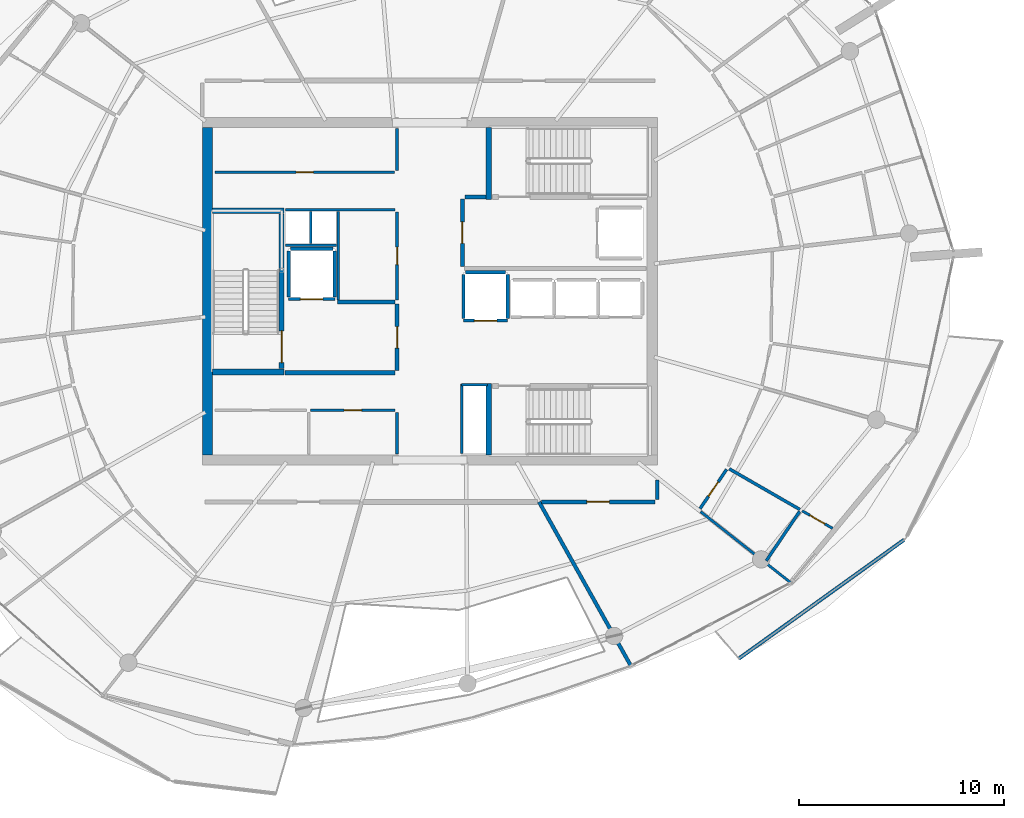
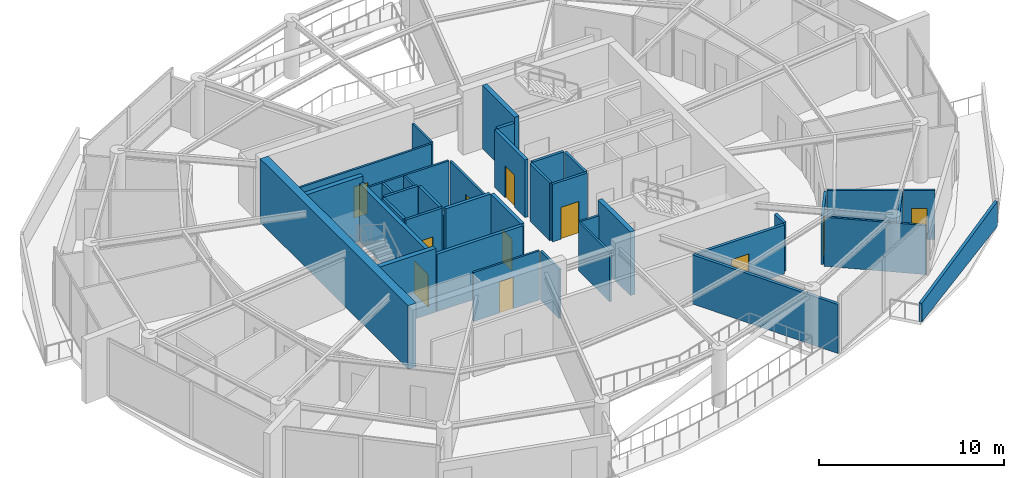
# One storey, part 13 of 21: 39 walls, 11 doors, 11 openings.
"""IFC4 building model written with IfcOpenShell, lengths in metres."""

from ifc_helpers import new_model, si_unit, direction, frame, frame_2d, origin, place, context, subcontext, project, spatial, polyline, rectangle, outline, extrude, material, layer, layer_set, type_object, element, fill, save


model = new_model("IFC4")

# Units and contexts
model_context = context("Model", 3, precision=1e-05, world=origin(), true_north=direction((0.0, 1.0)))
body_context = subcontext(model_context, "Body", "Model", "MODEL_VIEW")
ifc_project = project(units=[si_unit("LENGTHUNIT", "METRE"), si_unit("AREAUNIT", "SQUARE_METRE"), si_unit("VOLUMEUNIT", "CUBIC_METRE"), si_unit("PLANEANGLEUNIT", "RADIAN"), si_unit("MASSUNIT", "GRAM", prefix="KILO")], contexts=[model_context])

# Site, building, storey
site_placement = place(None, origin())
site = spatial("IfcSite", under=ifc_project, at=site_placement, CompositionType="ELEMENT")
building_placement = place(site_placement, origin())
building = spatial("IfcBuilding", under=site, at=building_placement, Name="Kazma Halo Residences", CompositionType="ELEMENT")
storey_placement = place(building_placement, frame((0.0, 0.0, 338.89990234375)))
storey = spatial("IfcBuildingStorey", under=building, at=storey_placement, Name="L85", CompositionType="ELEMENT", Elevation=338.89990234375)

# Walls
ifc_material_1 = material(Name="White Concrete C50/60 Balustrade", Category="concrete")
ifc_layer_1 = layer(ifc_material_1, 0.179931640625)
ifc_layer_set_1 = layer_set([ifc_layer_1], Name="White Concrete C50/60 Balustrade")
wall_type_1 = type_object("IfcWallType", Name="WL-BAL-WAVE-180", PredefinedType="PARAPET", material=ifc_layer_set_1)
wall_1_placement = place(storey_placement, frame((63.531005859375, 24.038818359375, 0.0), z_axis=(0.0, 0.0, 1.0), x_axis=(0.812019730163, 0.583629983659, 0.0)))
element("IfcWall", 1, at=wall_1_placement, inside=storey, type_object=wall_type_1, Name="L85 white wave balustrade wall SE.1", PredefinedType="PARAPET", context=body_context, shape_type="SweptSolid", body=[
    extrude(outline(polyline([(0.0, 0.0), (9.9541015625, 0.0), (9.954345703125, 1.632080078125), (4.97705078125, 1.418212890625), (0.0, 1.233154296875), (0.0, 0.0)])), frame((0.0, 0.08984375, 0.0), z_axis=(0.0, -1.0, 0.0), x_axis=(1.0, 0.0, 0.0)), (0.0, 0.0, 1.0), 0.179931640625),
])
ifc_material_2 = material(Name="Concrete C60/75", Category="concrete")
ifc_layer_2 = layer(ifc_material_2, 0.5)
ifc_layer_set_2 = layer_set([ifc_layer_2], Name="Concrete C60/75")
wall_type_2 = type_object("IfcWallType", Name="WL-CORE-500", PredefinedType="SHEAR", material=ifc_layer_set_2)
wall_2_placement = place(storey_placement, frame((37.550048828125, 34.0, 0.0), z_axis=(0.0, 0.0, 1.0), x_axis=(0.0, 1.0, 0.0)))
element("IfcWall", 2, at=wall_2_placement, inside=storey, type_object=wall_type_2, Name="L85 central core shear wall W", PredefinedType="SHEAR", context=body_context, shape_type="SweptSolid", body=[
    extrude(rectangle(XDim=16.0, YDim=0.5, at=frame_2d((8.0, 0.0))), origin(), (0.0, 0.0, 1.0), 4.2001953125),
])
ifc_layer_3 = layer(ifc_material_2, 0.280029296875)
ifc_layer_set_3 = layer_set([ifc_layer_3], Name="Concrete C60/75")
wall_type_3 = type_object("IfcWallType", Name="WL-CORE-ST-280", PredefinedType="SHEAR", material=ifc_layer_set_3)
for number, where, z_axis, x_axis, name in (
    (3, (37.800048828125, 38.06005859375, 0.0), (0.0, 0.0, 1.0), (1.0, 0.0, 0.0), "L85 stairwell bearing wall ST01-S"),
    (4, (37.800048828125, 45.93994140625, 0.0), (0.0, 0.0, 1.0), (1.0, 0.0, 0.0), "L85 stairwell bearing wall ST01-N"),
    (5, (51.31005859375, 46.5, 0.0), (0.0, 0.0, 1.0), (0.0, 1.0, 0.0), "L85 stairwell bearing wall ST02-W"),
    (6, (51.31005859375, 34.0, 0.0), (0.0, 0.0, 1.0), (0.0, 1.0, 0.0), "L85 stairwell bearing wall ST03-W"),
):
    element("IfcWall", number, at=place(storey_placement, frame(where, z_axis=z_axis, x_axis=x_axis)), inside=storey, type_object=wall_type_3, Name=name, PredefinedType="SHEAR", context=body_context, shape_type="SweptSolid", body=[
        extrude(rectangle(XDim=3.5, YDim=0.280029296875, at=frame_2d((1.75, 0.0))), origin(), (0.0, 0.0, 1.0), 4.2001953125),
    ])
ifc_material_3 = material(Name="Acoustic Twin-Stud Gypsum")
ifc_layer_4 = layer(ifc_material_3, 0.179931640625)
ifc_layer_set_4 = layer_set([ifc_layer_4], Name="Acoustic Twin-Stud Gypsum")
wall_type_4 = type_object("IfcWallType", Name="WL-DEM-180", PredefinedType="PARTITIONING", material=ifc_layer_set_4)
wall_3_placement = place(storey_placement, frame((53.768310546875, 31.699951171875, 0.0), z_axis=(0.0, 0.0, 1.0), x_axis=(0.488623665245, -0.872494649704, 0.0)))
element("IfcWall", 7, at=wall_3_placement, inside=storey, type_object=wall_type_4, Name="L85 apartment demising radial wall 12", PredefinedType="PARTITIONING", context=body_context, shape_type="SweptSolid", body=[
    extrude(rectangle(XDim=9.156982421875, YDim=0.179931640625, at=frame_2d((4.57861328125, 0.0))), origin(), (0.0, 0.0, 1.0), 3.239990234375),
])

# Wall, opening, door
wall_4_placement = place(storey_placement, frame((53.88818359375, 31.699951171875, 0.0), z_axis=(0.0, 0.0, 1.0), x_axis=(1.0, 0.0, 0.0)))
wall_4 = element("IfcWall", 8, at=wall_4_placement, inside=storey, type_object=wall_type_4, Name="L85 Penthouse 3 entrance corridor wall", PredefinedType="PARTITIONING", context=body_context, shape_type="SweptSolid", body=[
    extrude(rectangle(XDim=5.541748046875, YDim=0.179931640625, at=frame_2d((2.77099609375, 0.0))), origin(), (0.0, 0.0, 1.0), 3.239990234375),
])
opening_1_placement = place(wall_4_placement, frame((2.220703125, 0.0, 0.0)))
opening_1 = element("IfcOpeningElement", 9, at=opening_1_placement, cuts=wall_4, Name="Opening DA-1100", PredefinedType="OPENING", context=body_context, shape_type="SweptSolid", body=[
    extrude(rectangle(XDim=1.10009765625, YDim=2.10009765625, at=frame_2d((0.550048828125, 1.050048828125))), frame((0.0, 0.099853515625, 0.0), z_axis=(0.0, -1.0, 0.0), x_axis=(1.0, 0.0, 0.0)), (0.0, 0.0, 1.0), 0.199951171875),
])
ifc_material_4 = material(Name="Acoustic Walnut Fire Leaf")
door_type_1 = type_object("IfcDoorType", Name="DR-FD60-1100", OperationType="NOTDEFINED", PredefinedType="DOOR", material=ifc_material_4)
door_1_placement = place(opening_1_placement, origin())
door_1 = element("IfcDoor", 10, at=door_1_placement, inside=storey, type_object=door_type_1, Name="L85 Penthouse 3 entrance fire door", OperationType="SINGLE_SWING_LEFT", OverallHeight=2.10009765625, OverallWidth=1.10009765625, PredefinedType="DOOR", context=body_context, shape_type="SweptSolid", body=[
    extrude(rectangle(XDim=1.10009765625, YDim=2.10009765625, at=frame_2d((0.550048828125, 1.050048828125))), frame((0.0, 0.02490234375, 0.0), z_axis=(0.0, -1.0, 0.0), x_axis=(1.0, 0.0, 0.0)), (0.0, 0.0, 1.0), 0.050048828125),
])
fill(opening_1, door_1)

# Wall
wall_5_placement = place(storey_placement, frame((59.550048828125, 31.820068359375, 0.0), z_axis=(0.0, 0.0, 1.0), x_axis=(0.0, 1.0, 0.0)))
element("IfcWall", 11, at=wall_5_placement, inside=storey, type_object=wall_type_4, Name="L85 Penthouse 3 entrance corridor wall", PredefinedType="PARTITIONING", context=body_context, shape_type="SweptSolid", body=[
    extrude(rectangle(XDim=0.95458984375, YDim=0.179931640625, at=frame_2d((0.477294921875, 0.0))), origin(), (0.0, 0.0, 1.0), 3.239990234375),
])

# Wall, opening, door
ifc_material_5 = material(Name="Fire-Rated Blockwork Masonry", Category="masonry")
ifc_layer_5 = layer(ifc_material_5, 0.199951171875)
ifc_layer_set_5 = layer_set([ifc_layer_5], Name="Fire-Rated Blockwork Masonry")
wall_type_5 = type_object("IfcWallType", Name="WL-FLB-200", PredefinedType="PARTITIONING", material=ifc_layer_set_5)
wall_6_placement = place(storey_placement, frame((43.780029296875, 41.6201171875, 0.0), z_axis=(0.0, 0.0, 1.0), x_axis=(-1.0, 0.0, 0.0)))
wall_6 = element("IfcWall", 12, at=wall_6_placement, inside=storey, type_object=wall_type_5, Name="L85 lift shaft FL-01 front wall", PredefinedType="PARTITIONING", context=body_context, shape_type="SweptSolid", body=[
    extrude(rectangle(XDim=2.260009765625, YDim=0.159912109375, at=frame_2d((1.1298828125, 0.0))), origin(), (0.0, 0.0, 1.0), 3.800048828125),
])
opening_2_placement = place(wall_6_placement, frame((0.580078125, 0.0, 0.0)))
opening_2 = element("IfcOpeningElement", 13, at=opening_2_placement, cuts=wall_6, Name="Opening LD-FL-01", PredefinedType="OPENING", context=body_context, shape_type="SweptSolid", body=[
    extrude(rectangle(XDim=1.10009765625, YDim=2.10009765625, at=frame_2d((0.550048828125, 1.050048828125))), frame((0.0, 0.08984375, 0.0), z_axis=(0.0, -1.0, 0.0), x_axis=(1.0, 0.0, 0.0)), (0.0, 0.0, 1.0), 0.179931640625),
])
ifc_material_6 = material(Name="Stainless Steel Fire-Rated", Category="steel")
door_type_2 = type_object("IfcDoorType", Name="DR-LIFT-SLD-1100", OperationType="DOUBLE_DOOR_SLIDING", PredefinedType="DOOR", material=ifc_material_6)
door_2_placement = place(opening_2_placement, origin())
door_2 = element("IfcDoor", 14, at=door_2_placement, inside=storey, type_object=door_type_2, Name="L85 lift FL-01 sliding landing door", OperationType="DOUBLE_DOOR_SLIDING", OverallHeight=2.10009765625, OverallWidth=1.10009765625, PredefinedType="DOOR", context=body_context, shape_type="SweptSolid", body=[
    extrude(rectangle(XDim=1.10009765625, YDim=2.10009765625, at=frame_2d((0.550048828125, 1.050048828125))), frame((0.0, 0.02490234375, 0.0), z_axis=(0.0, -1.0, 0.0), x_axis=(1.0, 0.0, 0.0)), (0.0, 0.0, 1.0), 0.050048828125),
])
fill(opening_2, door_2)

# Walls
for number, where, z_axis, x_axis, name in (
    (15, (43.780029296875, 41.719970703125, 0.0), (0.0, 0.0, 1.0), (0.0, 1.0, 0.0), "L85 lift shaft FL-01 side wall E"),
    (16, (41.52001953125, 41.719970703125, 0.0), (0.0, 0.0, 1.0), (0.0, 1.0, 0.0), "L85 lift shaft FL-01 side wall W"),
):
    element("IfcWall", number, at=place(storey_placement, frame(where, z_axis=z_axis, x_axis=x_axis)), inside=storey, type_object=wall_type_5, Name=name, PredefinedType="PARTITIONING", context=body_context, shape_type="SweptSolid", body=[
        extrude(rectangle(XDim=2.260009765625, YDim=0.159912109375, at=frame_2d((1.1298828125, 0.0))), origin(), (0.0, 0.0, 1.0), 3.800048828125),
    ])
wall_7_placement = place(storey_placement, frame((41.6201171875, 44.080078125, 0.0), z_axis=(0.0, 0.0, 1.0), x_axis=(1.0, 0.0, 0.0)))
element("IfcWall", 17, at=wall_7_placement, inside=storey, type_object=wall_type_5, Name="L85 lift shaft FL-01 side wall N", PredefinedType="PARTITIONING", context=body_context, shape_type="SweptSolid", body=[
    extrude(rectangle(XDim=2.059814453125, YDim=0.159912109375, at=frame_2d((1.02978515625, 0.0))), origin(), (0.0, 0.0, 1.0), 3.800048828125),
])

# Wall, opening, door
wall_8_placement = place(storey_placement, frame((52.22998046875, 40.570068359375, 0.0), z_axis=(0.0, 0.0, 1.0), x_axis=(-1.0, 0.0, 0.0)))
wall_8 = element("IfcWall", 18, at=wall_8_placement, inside=storey, type_object=wall_type_5, Name="L85 lift shaft SV-01 front wall", PredefinedType="PARTITIONING", context=body_context, shape_type="SweptSolid", body=[
    extrude(rectangle(XDim=2.159912109375, YDim=0.159912109375, at=frame_2d((1.080078125, 0.0))), origin(), (0.0, 0.0, 1.0), 3.800048828125),
])
opening_3_placement = place(wall_8_placement, frame((0.530029296875, 0.0, 0.0)))
opening_3 = element("IfcOpeningElement", 19, at=opening_3_placement, cuts=wall_8, Name="Opening LD-SV-01", PredefinedType="OPENING", context=body_context, shape_type="SweptSolid", body=[
    extrude(rectangle(XDim=1.10009765625, YDim=2.10009765625, at=frame_2d((0.550048828125, 1.050048828125))), frame((0.0, 0.08984375, 0.0), z_axis=(0.0, -1.0, 0.0), x_axis=(1.0, 0.0, 0.0)), (0.0, 0.0, 1.0), 0.179931640625),
])
door_3_placement = place(opening_3_placement, origin())
door_3 = element("IfcDoor", 20, at=door_3_placement, inside=storey, type_object=door_type_2, Name="L85 lift SV-01 sliding landing door", OperationType="DOUBLE_DOOR_SLIDING", OverallHeight=2.10009765625, OverallWidth=1.10009765625, PredefinedType="DOOR", context=body_context, shape_type="SweptSolid", body=[
    extrude(rectangle(XDim=1.10009765625, YDim=2.10009765625, at=frame_2d((0.550048828125, 1.050048828125))), frame((0.0, 0.02490234375, 0.0), z_axis=(0.0, -1.0, 0.0), x_axis=(1.0, 0.0, 0.0)), (0.0, 0.0, 1.0), 0.050048828125),
])
fill(opening_3, door_3)

# Walls
for number, where, z_axis, x_axis, name in (
    (21, (52.22998046875, 40.669921875, 0.0), (0.0, 0.0, 1.0), (0.0, 1.0, 0.0), "L85 lift shaft SV-01 side wall E"),
    (22, (50.070068359375, 40.669921875, 0.0), (0.0, 0.0, 1.0), (0.0, 1.0, 0.0), "L85 lift shaft SV-01 side wall W"),
):
    element("IfcWall", number, at=place(storey_placement, frame(where, z_axis=z_axis, x_axis=x_axis)), inside=storey, type_object=wall_type_5, Name=name, PredefinedType="PARTITIONING", context=body_context, shape_type="SweptSolid", body=[
        extrude(rectangle(XDim=2.16015625, YDim=0.159912109375, at=frame_2d((1.080078125, 0.0))), origin(), (0.0, 0.0, 1.0), 3.800048828125),
    ])
wall_9_placement = place(storey_placement, frame((50.169921875, 42.929931640625, 0.0), z_axis=(0.0, 0.0, 1.0), x_axis=(1.0, 0.0, 0.0)))
element("IfcWall", 23, at=wall_9_placement, inside=storey, type_object=wall_type_5, Name="L85 lift shaft SV-01 side wall N", PredefinedType="PARTITIONING", context=body_context, shape_type="SweptSolid", body=[
    extrude(rectangle(XDim=1.9599609375, YDim=0.159912109375, at=frame_2d((0.97998046875, 0.0))), origin(), (0.0, 0.0, 1.0), 3.800048828125),
])
wall_10_placement = place(storey_placement, frame((41.35009765625, 38.02001953125, 0.0), z_axis=(0.0, 0.0, 1.0), x_axis=(1.0, 0.0, 0.0)))
element("IfcWall", 24, at=wall_10_placement, inside=storey, type_object=wall_type_5, Name="L85 west firefighting lobby south smoke wall", PredefinedType="PARTITIONING", context=body_context, shape_type="SweptSolid", body=[
    extrude(rectangle(XDim=5.369873046875, YDim=0.199951171875, at=frame_2d((2.68505859375, 0.0))), origin(), (0.0, 0.0, 1.0), 3.800048828125),
])
wall_11_placement = place(storey_placement, frame((43.919921875, 41.47998046875, 0.0), z_axis=(0.0, 0.0, 1.0), x_axis=(1.0, 0.0, 0.0)))
element("IfcWall", 25, at=wall_11_placement, inside=storey, type_object=wall_type_5, Name="L85 west firefighting lobby north smoke wall", PredefinedType="PARTITIONING", context=body_context, shape_type="SweptSolid", body=[
    extrude(rectangle(XDim=2.800048828125, YDim=0.199951171875, at=frame_2d((1.39990234375, 0.0))), origin(), (0.0, 0.0, 1.0), 3.800048828125),
])

# Wall, opening, door
wall_12_placement = place(storey_placement, frame((46.820068359375, 38.1201171875, 0.0), z_axis=(0.0, 0.0, 1.0), x_axis=(0.0, 1.0, 0.0)))
wall_12 = element("IfcWall", 26, at=wall_12_placement, inside=storey, type_object=wall_type_5, Name="L85 west firefighting lobby smoke wall", PredefinedType="PARTITIONING", context=body_context, shape_type="SweptSolid", body=[
    extrude(rectangle(XDim=3.259765625, YDim=0.199951171875, at=frame_2d((1.6298828125, 0.0))), origin(), (0.0, 0.0, 1.0), 3.800048828125),
])
opening_4_placement = place(wall_12_placement, frame((1.10498046875, 0.0, 0.0)))
opening_4 = element("IfcOpeningElement", 27, at=opening_4_placement, cuts=wall_12, Name="Opening D-FLW", PredefinedType="OPENING", context=body_context, shape_type="SweptSolid", body=[
    extrude(rectangle(XDim=1.050048828125, YDim=2.10009765625, at=frame_2d((0.52490234375, 1.050048828125))), frame((0.0, 0.10986328125, 0.0), z_axis=(0.0, -1.0, 0.0), x_axis=(1.0, 0.0, 0.0)), (0.0, 0.0, 1.0), 0.219970703125),
])
ifc_material_7 = material(Name="Fire-Rated Steel Leaf", Category="steel")
door_type_3 = type_object("IfcDoorType", Name="DR-FD90-1050", OperationType="NOTDEFINED", PredefinedType="DOOR", material=ifc_material_7)
door_4_placement = place(opening_4_placement, origin())
door_4 = element("IfcDoor", 28, at=door_4_placement, inside=storey, type_object=door_type_3, Name="L85 west firefighting lobby smoke door", OperationType="SINGLE_SWING_RIGHT", OverallHeight=2.10009765625, OverallWidth=1.050048828125, PredefinedType="DOOR", context=body_context, shape_type="SweptSolid", body=[
    extrude(rectangle(XDim=1.050048828125, YDim=2.10009765625, at=frame_2d((0.52490234375, 1.050048828125))), frame((0.0, 0.02490234375, 0.0), z_axis=(0.0, -1.0, 0.0), x_axis=(1.0, 0.0, 0.0)), (0.0, 0.0, 1.0), 0.050048828125),
])
fill(opening_4, door_4)

# Wall
wall_13_placement = place(storey_placement, frame((50.139892578125, 46.6201171875, 0.0), z_axis=(0.0, 0.0, 1.0), x_axis=(1.0, 0.0, 0.0)))
element("IfcWall", 29, at=wall_13_placement, inside=storey, type_object=wall_type_5, Name="L85 east firefighting lobby north closure wall", PredefinedType="PARTITIONING", context=body_context, shape_type="SweptSolid", body=[
    extrude(rectangle(XDim=1.02001953125, YDim=0.199951171875, at=frame_2d((0.510009765625, 0.0))), origin(), (0.0, 0.0, 1.0), 3.800048828125),
])

# Wall, opening, door
wall_14_placement = place(storey_placement, frame((50.02001953125, 43.219970703125, 0.0), z_axis=(0.0, 0.0, 1.0), x_axis=(0.0, 1.0, 0.0)))
wall_14 = element("IfcWall", 30, at=wall_14_placement, inside=storey, type_object=wall_type_5, Name="L85 east firefighting lobby smoke wall", PredefinedType="PARTITIONING", context=body_context, shape_type="SweptSolid", body=[
    extrude(rectangle(XDim=3.300048828125, YDim=0.199951171875, at=frame_2d((1.64990234375, 0.0))), origin(), (0.0, 0.0, 1.0), 3.800048828125),
])
opening_5_placement = place(wall_14_placement, frame((1.125, 0.0, 0.0)))
opening_5 = element("IfcOpeningElement", 31, at=opening_5_placement, cuts=wall_14, Name="Opening D-FLE", PredefinedType="OPENING", context=body_context, shape_type="SweptSolid", body=[
    extrude(rectangle(XDim=1.050048828125, YDim=2.10009765625, at=frame_2d((0.52490234375, 1.050048828125))), frame((0.0, 0.10986328125, 0.0), z_axis=(0.0, -1.0, 0.0), x_axis=(1.0, 0.0, 0.0)), (0.0, 0.0, 1.0), 0.219970703125),
])
door_5_placement = place(opening_5_placement, origin())
door_5 = element("IfcDoor", 32, at=door_5_placement, inside=storey, type_object=door_type_3, Name="L85 east firefighting lobby smoke door", OperationType="SINGLE_SWING_LEFT", OverallHeight=2.10009765625, OverallWidth=1.050048828125, PredefinedType="DOOR", context=body_context, shape_type="SweptSolid", body=[
    extrude(rectangle(XDim=1.050048828125, YDim=2.10009765625, at=frame_2d((0.52490234375, 1.050048828125))), frame((0.0, 0.02490234375, 0.0), z_axis=(0.0, -1.0, 0.0), x_axis=(1.0, 0.0, 0.0)), (0.0, 0.0, 1.0), 0.050048828125),
])
fill(opening_5, door_5)

# Wall
ifc_material_8 = material(Name="Gypsum Plasterboard Partition")
ifc_layer_6 = layer(ifc_material_8, 0.125)
ifc_layer_set_6 = layer_set([ifc_layer_6], Name="Gypsum Plasterboard Partition")
wall_type_6 = type_object("IfcWallType", Name="WL-PART-125", PredefinedType="PARTITIONING", material=ifc_layer_set_6)
wall_15_placement = place(storey_placement, frame((46.820068359375, 34.050048828125, 0.0), z_axis=(0.0, 0.0, 1.0), x_axis=(0.0, 1.0, 0.0)))
element("IfcWall", 33, at=wall_15_placement, inside=storey, type_object=wall_type_6, Name="L85 reclaimed south east wall", PredefinedType="PARTITIONING", context=body_context, shape_type="SweptSolid", body=[
    extrude(rectangle(XDim=2.030029296875, YDim=0.125, at=frame_2d((1.01513671875, 0.0))), origin(), (0.0, 0.0, 1.0), 3.239990234375),
])

# Wall, opening, door
wall_16_placement = place(storey_placement, frame((42.60009765625, 36.179931640625, 0.0), z_axis=(0.0, 0.0, 1.0), x_axis=(1.0, 0.0, 0.0)))
wall_16 = element("IfcWall", 34, at=wall_16_placement, inside=storey, type_object=wall_type_6, Name="L85 reclaimed south E front wall", PredefinedType="PARTITIONING", context=body_context, shape_type="SweptSolid", body=[
    extrude(rectangle(XDim=4.119873046875, YDim=0.125, at=frame_2d((2.06005859375, 0.0))), origin(), (0.0, 0.0, 1.0), 3.239990234375),
])
opening_6_placement = place(wall_16_placement, frame((1.635009765625, 0.0, 0.0)))
opening_6 = element("IfcOpeningElement", 35, at=opening_6_placement, cuts=wall_16, Name="Opening DS-850", PredefinedType="OPENING", context=body_context, shape_type="SweptSolid", body=[
    extrude(rectangle(XDim=0.85009765625, YDim=2.06005859375, at=frame_2d((0.425048828125, 1.030029296875))), frame((0.0, 0.072509765625, 0.0), z_axis=(0.0, -1.0, 0.0), x_axis=(1.0, 0.0, 0.0)), (0.0, 0.0, 1.0), 0.14501953125),
])
ifc_material_9 = material(Name="Painted Steel Access Leaf", Category="steel")
door_type_4 = type_object("IfcDoorType", Name="DR-SVC-850", OperationType="NOTDEFINED", PredefinedType="DOOR", material=ifc_material_9)
door_6_placement = place(opening_6_placement, origin())
door_6 = element("IfcDoor", 36, at=door_6_placement, inside=storey, type_object=door_type_4, Name="L85 reclaimed south E door", OperationType="SINGLE_SWING_LEFT", OverallHeight=2.06005859375, OverallWidth=0.85009765625, PredefinedType="DOOR", context=body_context, shape_type="SweptSolid", body=[
    extrude(rectangle(XDim=0.85009765625, YDim=2.06005859375, at=frame_2d((0.425048828125, 1.030029296875))), frame((0.0, 0.02490234375, 0.0), z_axis=(0.0, -1.0, 0.0), x_axis=(1.0, 0.0, 0.0)), (0.0, 0.0, 1.0), 0.050048828125),
])
fill(opening_6, door_6)

# Wall
wall_17_placement = place(storey_placement, frame((46.820068359375, 47.919921875, 0.0), z_axis=(0.0, 0.0, 1.0), x_axis=(0.0, 1.0, 0.0)))
element("IfcWall", 37, at=wall_17_placement, inside=storey, type_object=wall_type_6, Name="L85 reclaimed north east wall", PredefinedType="PARTITIONING", context=body_context, shape_type="SweptSolid", body=[
    extrude(rectangle(XDim=2.030029296875, YDim=0.125, at=frame_2d((1.01513671875, 0.0))), origin(), (0.0, 0.0, 1.0), 3.239990234375),
])

# Wall, opening, door
wall_18_placement = place(storey_placement, frame((37.919921875, 47.820068359375, 0.0), z_axis=(0.0, 0.0, 1.0), x_axis=(1.0, 0.0, 0.0)))
wall_18 = element("IfcWall", 38, at=wall_18_placement, inside=storey, type_object=wall_type_6, Name="L85 reclaimed north front wall", PredefinedType="PARTITIONING", context=body_context, shape_type="SweptSolid", body=[
    extrude(rectangle(XDim=8.780029296875, YDim=0.125, at=frame_2d((4.39013671875, 0.0))), origin(), (0.0, 0.0, 1.0), 3.239990234375),
])
opening_7_placement = place(wall_18_placement, frame((3.965087890625, 0.0, 0.0)))
opening_7 = element("IfcOpeningElement", 39, at=opening_7_placement, cuts=wall_18, Name="Opening DS-850", PredefinedType="OPENING", context=body_context, shape_type="SweptSolid", body=[
    extrude(rectangle(XDim=0.85009765625, YDim=2.06005859375, at=frame_2d((0.425048828125, 1.030029296875))), frame((0.0, 0.072509765625, 0.0), z_axis=(0.0, -1.0, 0.0), x_axis=(1.0, 0.0, 0.0)), (0.0, 0.0, 1.0), 0.14501953125),
])
door_7_placement = place(opening_7_placement, origin())
door_7 = element("IfcDoor", 40, at=door_7_placement, inside=storey, type_object=door_type_4, Name="L85 reclaimed north service door", OperationType="SINGLE_SWING_RIGHT", OverallHeight=2.06005859375, OverallWidth=0.85009765625, PredefinedType="DOOR", context=body_context, shape_type="SweptSolid", body=[
    extrude(rectangle(XDim=0.85009765625, YDim=2.06005859375, at=frame_2d((0.425048828125, 1.030029296875))), frame((0.0, 0.02490234375, 0.0), z_axis=(0.0, -1.0, 0.0), x_axis=(1.0, 0.0, 0.0)), (0.0, 0.0, 1.0), 0.050048828125),
])
fill(opening_7, door_7)

# Walls
wall_19_placement = place(storey_placement, frame((41.360107421875, 45.97998046875, 0.0), z_axis=(0.0, 0.0, 1.0), x_axis=(1.0, 0.0, 0.0)))
element("IfcWall", 41, at=wall_19_placement, inside=storey, type_object=wall_type_6, Name="L85 core north riser wall", PredefinedType="PARTITIONING", context=body_context, shape_type="SweptSolid", body=[
    extrude(rectangle(XDim=5.35986328125, YDim=0.125, at=frame_2d((2.679931640625, 0.0))), origin(), (0.0, 0.0, 1.0), 3.239990234375),
])
wall_20_placement = place(storey_placement, frame((41.360107421875, 44.260009765625, 0.0), z_axis=(0.0, 0.0, 1.0), x_axis=(1.0, 0.0, 0.0)))
element("IfcWall", 42, at=wall_20_placement, inside=storey, type_object=wall_type_6, Name="L85 core riser south wall", PredefinedType="PARTITIONING", context=body_context, shape_type="SweptSolid", body=[
    extrude(rectangle(XDim=2.5, YDim=0.125, at=frame_2d((1.25, 0.0))), origin(), (0.0, 0.0, 1.0), 3.239990234375),
])
wall_21_placement = place(storey_placement, frame((42.60009765625, 44.35009765625, 0.0), z_axis=(0.0, 0.0, 1.0), x_axis=(0.0, 1.0, 0.0)))
element("IfcWall", 43, at=wall_21_placement, inside=storey, type_object=wall_type_6, Name="L85 core riser divider wall", PredefinedType="PARTITIONING", context=body_context, shape_type="SweptSolid", body=[
    extrude(rectangle(XDim=1.5498046875, YDim=0.125, at=frame_2d((0.77490234375, 0.0))), origin(), (0.0, 0.0, 1.0), 3.239990234375),
])
wall_22_placement = place(storey_placement, frame((49.97998046875, 34.06005859375, 0.0), z_axis=(0.0, 0.0, 1.0), x_axis=(0.0, 1.0, 0.0)))
element("IfcWall", 44, at=wall_22_placement, inside=storey, type_object=wall_type_6, Name="L85 standpipe riser wall", PredefinedType="PARTITIONING", context=body_context, shape_type="SweptSolid", body=[
    extrude(rectangle(XDim=3.39990234375, YDim=0.125, at=frame_2d((1.699951171875, 0.0))), origin(), (0.0, 0.0, 1.0), 3.239990234375),
])
wall_23_placement = place(storey_placement, frame((49.97998046875, 37.43994140625, 0.0), z_axis=(0.0, 0.0, 1.0), x_axis=(1.0, 0.0, 0.0)))
element("IfcWall", 45, at=wall_23_placement, inside=storey, type_object=wall_type_6, Name="L85 standpipe riser north wall", PredefinedType="PARTITIONING", context=body_context, shape_type="SweptSolid", body=[
    extrude(rectangle(XDim=1.260009765625, YDim=0.125, at=frame_2d((0.6298828125, 0.0))), origin(), (0.0, 0.0, 1.0), 3.239990234375),
])
wall_24_placement = place(storey_placement, frame((43.949951171875, 41.580078125, 0.0), z_axis=(0.0, 0.0, 1.0), x_axis=(0.0, 1.0, 0.0)))
element("IfcWall", 46, at=wall_24_placement, inside=storey, type_object=wall_type_6, Name="L85 core service west wall", PredefinedType="PARTITIONING", context=body_context, shape_type="SweptSolid", body=[
    extrude(rectangle(XDim=4.31982421875, YDim=0.125, at=frame_2d((2.159912109375, 0.0))), origin(), (0.0, 0.0, 1.0), 3.239990234375),
])

# Wall, opening, door
wall_25_placement = place(storey_placement, frame((46.820068359375, 41.580078125, 0.0), z_axis=(0.0, 0.0, 1.0), x_axis=(0.0, 1.0, 0.0)))
wall_25 = element("IfcWall", 47, at=wall_25_placement, inside=storey, type_object=wall_type_6, Name="L85 core service room east wall", PredefinedType="PARTITIONING", context=body_context, shape_type="SweptSolid", body=[
    extrude(rectangle(XDim=4.2998046875, YDim=0.125, at=frame_2d((2.14990234375, 0.0))), origin(), (0.0, 0.0, 1.0), 3.239990234375),
])
opening_8_placement = place(wall_25_placement, frame((1.72509765625, 0.0, 0.0)))
opening_8 = element("IfcOpeningElement", 48, at=opening_8_placement, cuts=wall_25, Name="Opening DS-850", PredefinedType="OPENING", context=body_context, shape_type="SweptSolid", body=[
    extrude(rectangle(XDim=0.85009765625, YDim=2.06005859375, at=frame_2d((0.425048828125, 1.030029296875))), frame((0.0, 0.072509765625, 0.0), z_axis=(0.0, -1.0, 0.0), x_axis=(1.0, 0.0, 0.0)), (0.0, 0.0, 1.0), 0.14501953125),
])
door_8_placement = place(opening_8_placement, origin())
door_8 = element("IfcDoor", 49, at=door_8_placement, inside=storey, type_object=door_type_4, Name="L85 core service room door", OperationType="SINGLE_SWING_RIGHT", OverallHeight=2.06005859375, OverallWidth=0.85009765625, PredefinedType="DOOR", context=body_context, shape_type="SweptSolid", body=[
    extrude(rectangle(XDim=0.85009765625, YDim=2.06005859375, at=frame_2d((0.425048828125, 1.030029296875))), frame((0.0, 0.02490234375, 0.0), z_axis=(0.0, -1.0, 0.0), x_axis=(1.0, 0.0, 0.0)), (0.0, 0.0, 1.0), 0.050048828125),
])
fill(opening_8, door_8)

# Wall
wall_26_placement = place(storey_placement, frame((61.661376953125, 31.230224609375, 0.0), z_axis=(0.0, 0.0, 1.0), x_axis=(0.785321366699, -0.61908832246, 0.0)))
element("IfcWall", 50, at=wall_26_placement, inside=storey, type_object=wall_type_6, Name="L85 Penthouse 3 radial partition 13", PredefinedType="PARTITIONING", context=body_context, shape_type="SweptSolid", body=[
    extrude(rectangle(XDim=5.59716796875, YDim=0.125, at=frame_2d((2.798583984375, 0.0))), origin(), (0.0, 0.0, 1.0), 3.239990234375),
])

# Wall, opening, door
wall_27_placement = place(storey_placement, frame((66.6337890625, 31.2646484375, 0.0), z_axis=(0.0, 0.0, 1.0), x_axis=(0.866444624685, -0.499273184094, 0.0)))
wall_27 = element("IfcWall", 51, at=wall_27_placement, inside=storey, type_object=wall_type_6, Name="L85 Penthouse 3 Utility Laundry Room partition wall", PredefinedType="PARTITIONING", context=body_context, shape_type="SweptSolid", body=[
    extrude(rectangle(XDim=1.70947265625, YDim=0.125, at=frame_2d((0.854736328125, 0.0))), origin(), (0.0, 0.0, 1.0), 3.239990234375),
])
opening_9_placement = place(wall_27_placement, frame((0.4296875, 0.0, 0.0)))
opening_9 = element("IfcOpeningElement", 52, at=opening_9_placement, cuts=wall_27, Name="Opening DB-900", PredefinedType="OPENING", context=body_context, shape_type="SweptSolid", body=[
    extrude(rectangle(XDim=0.85009765625, YDim=2.06005859375, at=frame_2d((0.425048828125, 1.030029296875))), frame((0.0, 0.072509765625, 0.0), z_axis=(0.0, -1.0, 0.0), x_axis=(1.0, 0.0, 0.0)), (0.0, 0.0, 1.0), 0.14501953125),
])
ifc_material_10 = material(Name="Moisture-Sealed Timber Leaf", Category="wood")
door_type_5 = type_object("IfcDoorType", Name="DR-BTH-900", OperationType="NOTDEFINED", PredefinedType="DOOR", material=ifc_material_10)
door_9_placement = place(opening_9_placement, origin())
door_9 = element("IfcDoor", 53, at=door_9_placement, inside=storey, type_object=door_type_5, Name="L85 Penthouse 3 Utility Laundry Room door", OperationType="SINGLE_SWING_RIGHT", OverallHeight=2.06005859375, OverallWidth=0.85009765625, PredefinedType="DOOR", context=body_context, shape_type="SweptSolid", body=[
    extrude(rectangle(XDim=0.85009765625, YDim=2.06005859375, at=frame_2d((0.425048828125, 1.030029296875))), frame((0.0, 0.02490234375, 0.0), z_axis=(0.0, -1.0, 0.0), x_axis=(1.0, 0.0, 0.0)), (0.0, 0.0, 1.0), 0.050048828125),
])
fill(opening_9, door_9)

ifc_material_11 = material(Name="Concrete C50/60", Category="concrete")
ifc_layer_7 = layer(ifc_material_11, 0.25)
ifc_layer_set_7 = layer_set([ifc_layer_7], Name="Concrete C50/60")
wall_type_7 = type_object("IfcWallType", Name="WL-SHF-250", PredefinedType="SOLIDWALL", material=ifc_layer_set_7)
wall_28_placement = place(storey_placement, frame((41.179931640625, 38.219970703125, 0.0), z_axis=(0.0, 0.0, 1.0), x_axis=(0.0, 1.0, 0.0)))
wall_28 = element("IfcWall", 54, at=wall_28_placement, inside=storey, type_object=wall_type_7, Name="L85 exit stair ST-01 enclosure wall", PredefinedType="SOLIDWALL", context=body_context, shape_type="SweptSolid", body=[
    extrude(rectangle(XDim=7.56005859375, YDim=0.25, at=frame_2d((3.780029296875, 0.0))), origin(), (0.0, 0.0, 1.0), 3.800048828125),
])
opening_10_placement = place(wall_28_placement, frame((0.300048828125, 0.0, 0.0)))
opening_10 = element("IfcOpeningElement", 55, at=opening_10_placement, cuts=wall_28, Name="Opening D-ST1", PredefinedType="OPENING", context=body_context, shape_type="SweptSolid", body=[
    extrude(rectangle(XDim=1.550048828125, YDim=2.14990234375, at=frame_2d((0.77490234375, 1.074951171875))), frame((0.0, 0.135009765625, 0.0), z_axis=(0.0, -1.0, 0.0), x_axis=(1.0, 0.0, 0.0)), (0.0, 0.0, 1.0), 0.27001953125),
])
ifc_material_12 = material(Name="Fire-Rated Double Steel Leaf", Category="steel")
door_type_6 = type_object("IfcDoorType", Name="DR-FD90-1550", OperationType="NOTDEFINED", PredefinedType="DOOR", material=ifc_material_12)
door_10_placement = place(opening_10_placement, origin())
door_10 = element("IfcDoor", 56, at=door_10_placement, inside=storey, type_object=door_type_6, Name="L85 exit stair ST-01 fire door", OperationType="DOUBLE_DOOR_SINGLE_SWING", OverallHeight=2.14990234375, OverallWidth=1.550048828125, PredefinedType="DOOR", context=body_context, shape_type="SweptSolid", body=[
    extrude(rectangle(XDim=1.550048828125, YDim=2.14990234375, at=frame_2d((0.77490234375, 1.074951171875))), frame((0.0, 0.02490234375, 0.0), z_axis=(0.0, -1.0, 0.0), x_axis=(1.0, 0.0, 0.0)), (0.0, 0.0, 1.0), 0.050048828125),
])
fill(opening_10, door_10)

ifc_material_13 = material(Name="Moisture-Resistant Gypsum")
ifc_layer_8 = layer(ifc_material_13, 0.14990234375)
ifc_layer_set_8 = layer_set([ifc_layer_8], Name="Moisture-Resistant Gypsum")
wall_type_8 = type_object("IfcWallType", Name="WL-WET-150", PredefinedType="PARTITIONING", material=ifc_layer_set_8)
wall_29_placement = place(storey_placement, frame((61.638916015625, 31.375, 0.0), z_axis=(0.0, 0.0, 1.0), x_axis=(0.56062651507, 0.828068783738, 0.0)))
wall_29 = element("IfcWall", 57, at=wall_29_placement, inside=storey, type_object=wall_type_8, Name="L85 Penthouse 3 Guest Bathroom hall wall", PredefinedType="PARTITIONING", context=body_context, shape_type="SweptSolid", body=[
    extrude(rectangle(XDim=2.314208984375, YDim=0.14990234375, at=frame_2d((1.1572265625, 0.0))), origin(), (0.0, 0.0, 1.0), 3.239990234375),
])
opening_11_placement = place(wall_29_placement, frame((0.73193359375, 0.0, 0.0)))
opening_11 = element("IfcOpeningElement", 58, at=opening_11_placement, cuts=wall_29, Name="Opening DB-900", PredefinedType="OPENING", context=body_context, shape_type="SweptSolid", body=[
    extrude(rectangle(XDim=0.85009765625, YDim=2.06005859375, at=frame_2d((0.425048828125, 1.030029296875))), frame((0.0, 0.0849609375, 0.0), z_axis=(0.0, -1.0, 0.0), x_axis=(1.0, 0.0, 0.0)), (0.0, 0.0, 1.0), 0.169921875),
])
door_11_placement = place(opening_11_placement, origin())
door_11 = element("IfcDoor", 59, at=door_11_placement, inside=storey, type_object=door_type_5, Name="L85 Penthouse 3 Guest Bathroom door", OperationType="SINGLE_SWING_LEFT", OverallHeight=2.06005859375, OverallWidth=0.85009765625, PredefinedType="DOOR", context=body_context, shape_type="SweptSolid", body=[
    extrude(rectangle(XDim=0.85009765625, YDim=2.06005859375, at=frame_2d((0.425048828125, 1.030029296875))), frame((0.0, 0.02490234375, 0.0), z_axis=(0.0, -1.0, 0.0), x_axis=(1.0, 0.0, 0.0)), (0.0, 0.0, 1.0), 0.050048828125),
])
fill(opening_11, door_11)

# Walls
wall_30_placement = place(storey_placement, frame((64.873779296875, 28.824951171875, 0.0), z_axis=(0.0, 0.0, 1.0), x_axis=(0.560532780406, 0.82813223708, 0.0)))
element("IfcWall", 60, at=wall_30_placement, inside=storey, type_object=wall_type_8, Name="L85 Penthouse 3 Guest Bathroom back wall", PredefinedType="PARTITIONING", context=body_context, shape_type="SweptSolid", body=[
    extrude(rectangle(XDim=2.910400390625, YDim=0.14990234375, at=frame_2d((1.455078125, 0.0))), origin(), (0.0, 0.0, 1.0), 3.239990234375),
])
wall_31_placement = place(storey_placement, frame((63.064697265625, 33.32080078125, 0.0), z_axis=(0.0, 0.0, 1.0), x_axis=(0.866490095299, -0.499194265541, 0.0)))
element("IfcWall", 61, at=wall_31_placement, inside=storey, type_object=wall_type_8, Name="L85 Penthouse 3 Guest Bathroom side wall", PredefinedType="PARTITIONING", context=body_context, shape_type="SweptSolid", body=[
    extrude(rectangle(XDim=3.98876953125, YDim=0.14990234375, at=frame_2d((1.994384765625, 0.0))), origin(), (0.0, 0.0, 1.0), 3.239990234375),
])

save(model, "model.ifc")
